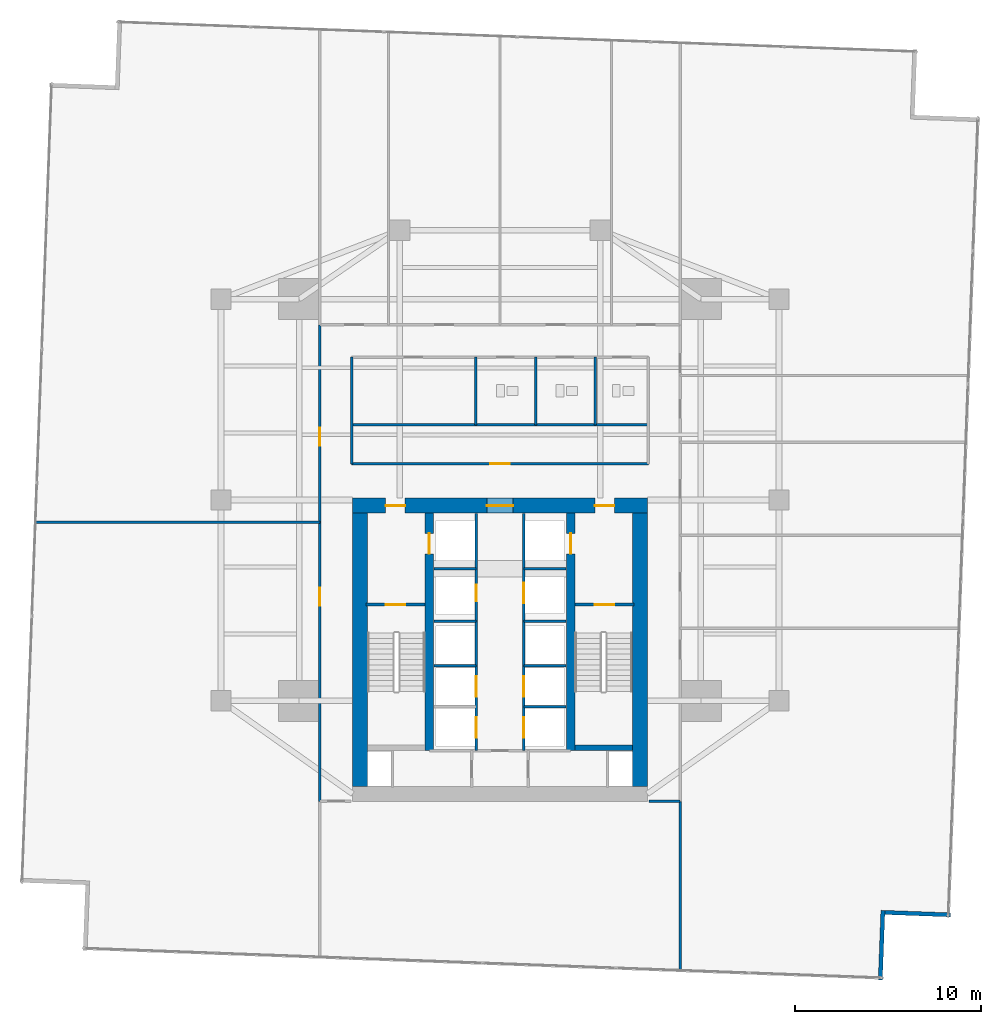
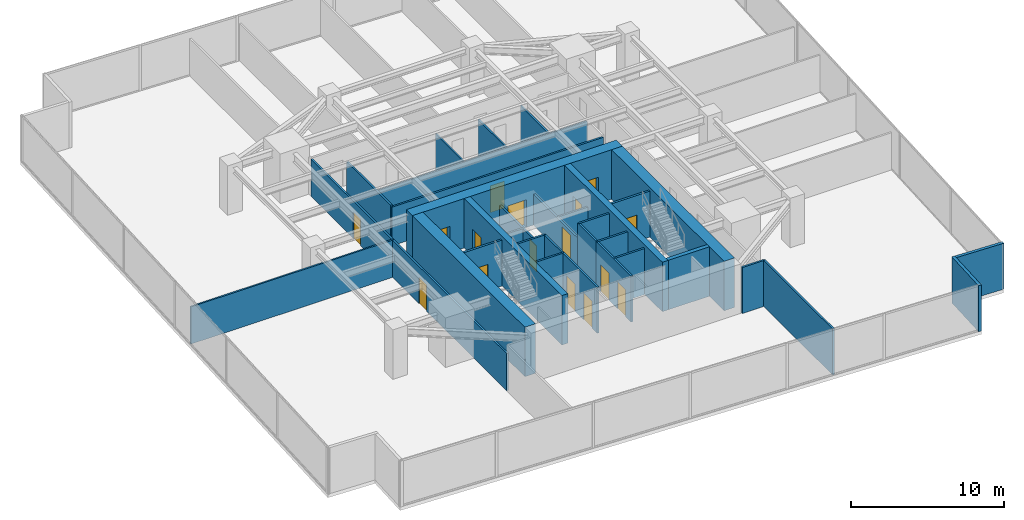
# One storey, part 27 of 30: 33 walls, 16 doors, 16 openings.
"""IFC4 building model written with IfcOpenShell, lengths in metres."""

import ifcopenshell
import ifcopenshell.guid

model = None  # the IFC model being written
_history = None  # IfcOwnerHistory: only IFC2X3 demands one
_inside = {}  # id of a spatial element -> (the spatial element, [elements in it])
_under = {}  # id of a project, library or spatial element -> (it, [spatial elements below it])
_declared = {}  # id of a project -> (the project, [libraries it declares])
_typed = {}  # id of a type object -> (the type object, [elements of that type])
_made_of = {}  # id of a material, layer set ... -> (it, [elements and type objects made of it])


def new_model(schema):
    """Start an empty IFC model of exactly this schema.

    Asked for "IFC4X3", IfcOpenShell would pick the latest addendum, in which some entities
    have other attributes; the version numbers below select the first issue.
    IFC2X3 requires an IfcOwnerHistory on every rooted entity: one is made here for all.
    """
    global model, _history
    if schema == "IFC4X3":
        model = ifcopenshell.file(schema_version=(4, 3, 0, 0))
    else:
        model = ifcopenshell.file(schema=schema)
    _inside.clear()
    _under.clear()
    _declared.clear()
    _typed.clear()
    _made_of.clear()
    _history = None
    if model.schema == "IFC2X3":
        org = make("IfcOrganization", Name="unknown")
        user = make(
            "IfcPersonAndOrganization",
            ThePerson=make("IfcPerson", FamilyName="unknown"),
            TheOrganization=org,
        )
        app = make(
            "IfcApplication",
            ApplicationDeveloper=org,
            Version="unknown",
            ApplicationFullName="unknown",
            ApplicationIdentifier="unknown",
        )
        _history = make(
            "IfcOwnerHistory",
            OwningUser=user,
            OwningApplication=app,
            ChangeAction="ADDED",
            CreationDate=0,
        )
    return model


def make(cls, **values):
    """One entity of the class cls with the attributes given. An attribute that is None is left unset."""
    return model.create_entity(
        cls, **{name: value for name, value in values.items() if value is not None}
    )


def rooted(cls, **values):
    """An entity with a GlobalId (a new one), such as an element, a storey or a relation."""
    return make(cls, GlobalId=ifcopenshell.guid.new(), OwnerHistory=_history, **values)


def si_unit(unit_type, name, prefix=None):
    """IfcSIUnit, for example si_unit("LENGTHUNIT", "METRE", prefix="MILLI")."""
    return make("IfcSIUnit", UnitType=unit_type, Prefix=prefix, Name=name)


def assignment(units):
    """IfcUnitAssignment: the units of a project."""
    return None if units is None else make("IfcUnitAssignment", Units=units)


def point(xyz):
    """IfcCartesianPoint."""
    return None if xyz is None else make("IfcCartesianPoint", Coordinates=xyz)


def direction(xyz):
    """IfcDirection."""
    return None if xyz is None else make("IfcDirection", DirectionRatios=xyz)


def frame(location, z_axis=None, x_axis=None):
    """IfcAxis2Placement3D, a coordinate frame: its origin and axes. An axis left out is left unset."""
    return make(
        "IfcAxis2Placement3D",
        Location=point(location),
        Axis=direction(z_axis),
        RefDirection=direction(x_axis),
    )


def frame_2d(location, x_axis=None):
    """IfcAxis2Placement2D, a coordinate frame in the plane: its origin and x axis."""
    return make(
        "IfcAxis2Placement2D", Location=point(location), RefDirection=direction(x_axis)
    )


def origin():
    """The frame at (0, 0, 0) with its axes left unset."""
    return frame((0.0, 0.0, 0.0))


def place(relative_to, where):
    """IfcLocalPlacement: puts the frame where relative to a parent placement (None: the world)."""
    return make(
        "IfcLocalPlacement", PlacementRelTo=relative_to, RelativePlacement=where
    )


def context(
    kind, dimensions, precision=None, world=None, true_north=None, identifier=None
):
    """IfcGeometricRepresentationContext, for example the 3D "Model" context."""
    return make(
        "IfcGeometricRepresentationContext",
        ContextIdentifier=identifier,
        ContextType=kind,
        CoordinateSpaceDimension=dimensions,
        Precision=precision,
        WorldCoordinateSystem=world,
        TrueNorth=true_north,
    )


def subcontext(parent, identifier, kind, view, scale=None):
    """IfcGeometricRepresentationSubContext, for example "Body" below "Model"."""
    return make(
        "IfcGeometricRepresentationSubContext",
        ContextIdentifier=identifier,
        ContextType=kind,
        ParentContext=parent,
        TargetScale=scale,
        TargetView=view,
    )


def project(units=None, contexts=None):
    """IfcProject with its units and contexts."""
    return rooted(
        "IfcProject",
        Name="project",
        RepresentationContexts=contexts,
        UnitsInContext=assignment(units),
    )


def spatial(cls, under=None, at=None, **own):
    """A site, building, storey or space (cls), placed at a placement, below another one or the project."""
    s = rooted(cls, ObjectPlacement=at, **own)
    if under is not None:
        _under.setdefault(under.id(), (under, []))[1].append(s)
    return s


def profile(cls, at=None, kind="AREA", **sizes):
    """A parametric profile (cls). Its sizes go by their IFC names, for example OverallWidth=200.0."""
    return make(cls, ProfileType=kind, Position=at, **sizes)


def rectangle(**sizes):
    """IfcRectangleProfileDef."""
    return profile("IfcRectangleProfileDef", **sizes)


def extrude(swept, where, along, depth):
    """IfcExtrudedAreaSolid: the profile swept, set in the frame where, extruded along a direction by depth."""
    return make(
        "IfcExtrudedAreaSolid",
        SweptArea=swept,
        Position=where,
        ExtrudedDirection=direction(along),
        Depth=depth,
    )


def shape(context_of_items, identifier, shape_type, items):
    """IfcShapeRepresentation: the items that make up one representation, for example the "Body"."""
    return make(
        "IfcShapeRepresentation",
        ContextOfItems=context_of_items,
        RepresentationIdentifier=identifier,
        RepresentationType=shape_type,
        Items=items,
    )


def material(Name=None, Category=None):
    """IfcMaterial."""
    return make("IfcMaterial", Name=Name, Category=Category)


def layer(
    of_material, thickness, ventilated=None, Name=None, Category=None, Priority=None
):
    """IfcMaterialLayer: one layer of a wall or slab, of a material (None: an air gap)."""
    return make(
        "IfcMaterialLayer",
        Material=of_material,
        LayerThickness=thickness,
        IsVentilated=ventilated,
        Name=Name,
        Category=Category,
        Priority=Priority,
    )


def layer_set(layers, Name=None):
    """IfcMaterialLayerSet."""
    return make("IfcMaterialLayerSet", MaterialLayers=layers, LayerSetName=Name)


def made_of(thing, what):
    """Note that an element or type object is made of a material, layer set ...; save() writes the relation."""
    if what is not None:
        _made_of.setdefault(what.id(), (what, []))[1].append(thing)
    return thing


def type_object(cls, material=None, **own):
    """A type object (cls), such as IfcWallType, which elements share."""
    return made_of(rooted(cls, **own), material)


def element(
    cls,
    number,
    at=None,
    inside=None,
    cuts=None,
    type_object=None,
    material=None,
    context=None,
    identifier="Body",
    shape_type=None,
    held_by="IfcProductDefinitionShape",
    body=None,
    shapes=None,
    **own,
):
    """One element of the class cls, such as IfcWall. Its Tag is "e" and its number.

    at: its placement. inside: the storey or other place that contains it. cuts: it is an
    opening in that element (IfcRelVoidsElement). A single representation is given by context,
    identifier, shape_type and body (its items); several are given by shapes. held_by: the class
    of the entity that holds the representations. save() writes the other relations.
    """
    e = rooted(cls, Tag="e%d" % number, ObjectPlacement=at, **own)
    if body is not None:
        shapes = [shape(context, identifier, shape_type, body)]
    if shapes is not None:
        e.Representation = make(held_by, Representations=shapes)
    if inside is not None:
        _inside.setdefault(inside.id(), (inside, []))[1].append(e)
    if cuts is not None:
        rooted(
            "IfcRelVoidsElement", RelatingBuildingElement=cuts, RelatedOpeningElement=e
        )
    if type_object is not None:
        _typed.setdefault(type_object.id(), (type_object, []))[1].append(e)
    return made_of(e, material)


def fill(opening, filler):
    """IfcRelFillsElement: the door or window that sits in an opening."""
    return rooted(
        "IfcRelFillsElement",
        RelatingOpeningElement=opening,
        RelatedBuildingElement=filler,
    )


def aggregate(whole, parts):
    """IfcRelAggregates: a whole, such as a stair, and the parts it consists of."""
    return rooted("IfcRelAggregates", RelatingObject=whole, RelatedObjects=parts)


def save(model, path):
    """Write the relations noted so far, then the file.

    IfcRelAggregates (storeys below a building ...), IfcRelContainedInSpatialStructure (elements
    in a storey), IfcRelDefinesByType, IfcRelAssociatesMaterial and IfcRelDeclares: one each for
    every whole, place, type object, material and project.
    """
    for whole, parts in _under.values():
        aggregate(whole, parts)
    for where, things in _inside.values():
        rooted(
            "IfcRelContainedInSpatialStructure",
            RelatedElements=things,
            RelatingStructure=where,
        )
    for kind, things in _typed.values():
        rooted("IfcRelDefinesByType", RelatedObjects=things, RelatingType=kind)
    for what, things in _made_of.values():
        rooted("IfcRelAssociatesMaterial", RelatedObjects=things, RelatingMaterial=what)
    for by, libraries in _declared.values():
        rooted("IfcRelDeclares", RelatingContext=by, RelatedDefinitions=libraries)
    model.write(path)


model = new_model("IFC4")

# Units and contexts
model_context = context("Model", 3, precision=1e-05, world=origin(), true_north=direction((0.0, 1.0)))
body_context = subcontext(model_context, "Body", "Model", "MODEL_VIEW")
ifc_project = project(units=[si_unit("LENGTHUNIT", "METRE"), si_unit("AREAUNIT", "SQUARE_METRE"), si_unit("VOLUMEUNIT", "CUBIC_METRE"), si_unit("PLANEANGLEUNIT", "RADIAN"), si_unit("MASSUNIT", "GRAM", prefix="KILO")], contexts=[model_context])

# Site, building, storey
site_placement = place(None, origin())
site = spatial("IfcSite", under=ifc_project, at=site_placement, CompositionType="ELEMENT")
building_placement = place(site_placement, origin())
building = spatial("IfcBuilding", under=site, at=building_placement, Name="Krantzveldt Concourse Tower", CompositionType="ELEMENT")
storey_placement = place(building_placement, frame((0.0, 0.0, 44.75)))
storey = spatial("IfcBuildingStorey", under=building, at=storey_placement, Name="L10", CompositionType="ELEMENT", Elevation=44.75)

# Walls
ifc_material_1 = material(Name="Anodised aluminium 6063-T6", Category="aluminium")
ifc_layer_1 = layer(ifc_material_1, 0.219970703125, Name="Anodised aluminium 6063-T6", Category="aluminium")
ifc_layer_set_1 = layer_set([ifc_layer_1], Name="Anodised aluminium 6063-T6 (WL-EXT-NOTCH220)")
wall_type_1 = type_object("IfcWallType", Name="WL-EXT-NOTCH220", PredefinedType="ELEMENTEDWALL", material=ifc_layer_set_1)
wall_1_placement = place(storey_placement, frame((56.447265625, 0.899169921875, 0.0), z_axis=(0.0, 0.0, 1.0), x_axis=(0.037093640215, 0.999311794114, 0.0)))
element("IfcWall", 1, at=wall_1_placement, inside=storey, type_object=wall_type_1, Name="EW-L10-NCH05", PredefinedType="ELEMENTEDWALL", context=body_context, shape_type="SweptSolid", body=[
    extrude(rectangle(XDim=3.7451171875, YDim=0.219970703125, at=frame_2d((1.87255859375, 0.0))), origin(), (0.0, 0.0, 1.0), 3.669921875),
])
wall_2_placement = place(storey_placement, frame((56.692138671875, 4.527587890625, 0.0), z_axis=(0.0, 0.0, 1.0), x_axis=(0.99931065272, -0.037124376896, 0.0)))
element("IfcWall", 2, at=wall_2_placement, inside=storey, type_object=wall_type_1, Name="EW-L10-NCH06", PredefinedType="ELEMENTEDWALL", context=body_context, shape_type="SweptSolid", body=[
    extrude(rectangle(XDim=3.52490234375, YDim=0.219970703125, at=frame_2d((1.762451171875, 0.0))), origin(), (0.0, 0.0, 1.0), 3.669921875),
])
ifc_material_2 = material(Name="Fire-rated gypsum plasterboard on steel stud", Category="steel")
ifc_layer_2 = layer(ifc_material_2, 0.1201171875, Name="Fire-rated gypsum plasterboard on steel stud", Category="steel")
ifc_layer_set_2 = layer_set([ifc_layer_2], Name="Fire-rated gypsum plasterboard on steel stud (WL-PART-120)")
wall_type_2 = type_object("IfcWallType", Name="WL-PART-120", PredefinedType="PARTITIONING", material=ifc_layer_set_2)
wall_3_placement = place(storey_placement, frame((28.02001953125, 30.739990234375, 0.0), z_axis=(0.0, 0.0, 1.0), x_axis=(1.0, 0.0, 0.0)))
element("IfcWall", 3, at=wall_3_placement, inside=storey, type_object=wall_type_2, Name="WP-L10-ISLM", PredefinedType="PARTITIONING", context=body_context, shape_type="SweptSolid", body=[
    extrude(rectangle(XDim=15.9599609375, YDim=0.1201171875, at=frame_2d((7.97998046875, 0.0))), origin(), (0.0, 0.0, 1.0), 3.080078125),
])
for number, where, z_axis, x_axis, name in (
    (4, (37.919921875, 30.739990234375, 0.0), (0.0, 0.0, 1.0), (0.0, 1.0, 0.0), "WP-L10-WCD1"),
    (5, (41.1201171875, 30.739990234375, 0.0), (0.0, 0.0, 1.0), (0.0, 1.0, 0.0), "WP-L10-WCD2"),
    (6, (34.699951171875, 30.739990234375, 0.0), (0.0, 0.0, 1.0), (0.0, 1.0, 0.0), "WP-L10-WCD3"),
):
    element("IfcWall", number, at=place(storey_placement, frame(where, z_axis=z_axis, x_axis=x_axis)), inside=storey, type_object=wall_type_2, Name=name, PredefinedType="PARTITIONING", context=body_context, shape_type="SweptSolid", body=[
        extrude(rectangle(XDim=3.639892578125, YDim=0.1201171875, at=frame_2d((1.81982421875, 0.0))), origin(), (0.0, 0.0, 1.0), 3.1201171875),
    ])
wall_4_placement = place(storey_placement, frame((11.0283203125, 25.5, 0.0), z_axis=(0.0, 0.0, 1.0), x_axis=(1.0, 0.0, 0.0)))
element("IfcWall", 7, at=wall_4_placement, inside=storey, type_object=wall_type_2, Name="WP-L10-WD1", PredefinedType="PARTITIONING", context=body_context, shape_type="SweptSolid", body=[
    extrude(rectangle(XDim=15.291748046875, YDim=0.1201171875, at=frame_2d((7.64599609375, 0.0))), origin(), (0.0, 0.0, 1.0), 2.969970703125),
])

# Wall, opening, door
ifc_layer_3 = layer(ifc_material_2, 0.139892578125, Name="Fire-rated gypsum plasterboard on steel stud", Category="steel")
ifc_layer_set_3 = layer_set([ifc_layer_3], Name="Fire-rated gypsum plasterboard on steel stud (WL-PART-140)")
wall_type_3 = type_object("IfcWallType", Name="WL-PART-140", PredefinedType="PARTITIONING", material=ifc_layer_set_3)
wall_5_placement = place(storey_placement, frame((28.02001953125, 28.639892578125, 0.0), z_axis=(0.0, 0.0, 1.0), x_axis=(1.0, 0.0, 0.0)))
wall_5 = element("IfcWall", 8, at=wall_5_placement, inside=storey, type_object=wall_type_3, Name="WP-L10-ISLS", PredefinedType="PARTITIONING", context=body_context, shape_type="SweptSolid", body=[
    extrude(rectangle(XDim=15.9599609375, YDim=0.139892578125, at=frame_2d((7.97998046875, 0.0))), origin(), (0.0, 0.0, 1.0), 3.080078125),
])
opening_1_placement = place(wall_5_placement, frame((7.455078125, 0.0, 0.0)))
opening_1 = element("IfcOpeningElement", 9, at=opening_1_placement, cuts=wall_5, Name="Opening D-IN105", PredefinedType="OPENING", context=body_context, shape_type="SweptSolid", body=[
    extrude(rectangle(XDim=1.050048828125, YDim=2.14990234375, at=frame_2d((0.52490234375, 1.074951171875))), frame((0.0, 0.080078125, 0.0), z_axis=(0.0, -1.0, 0.0), x_axis=(1.0, 0.0, 0.0)), (0.0, 0.0, 1.0), 0.159912109375),
])
ifc_material_3 = material(Name="Hardwood timber", Category="wood")
door_type_1 = type_object("IfcDoorType", Name="DR-INT-1050", OperationType="SINGLE_SWING_LEFT", PredefinedType="DOOR", material=ifc_material_3)
door_1_placement = place(opening_1_placement, origin())
door_1 = element("IfcDoor", 10, at=door_1_placement, inside=storey, type_object=door_type_1, Name="DR-L10-MIDB", OperationType="SINGLE_SWING_LEFT", OverallHeight=2.14990234375, OverallWidth=1.050048828125, PredefinedType="DOOR", context=body_context, shape_type="SweptSolid", body=[
    extrude(rectangle(XDim=1.050048828125, YDim=2.14990234375, at=frame_2d((0.52490234375, 1.074951171875))), frame((0.0, 0.02490234375, 0.0), z_axis=(0.0, -1.0, 0.0), x_axis=(1.0, 0.0, 0.0)), (0.0, 0.0, 1.0), 0.050048828125),
])
fill(opening_1, door_1)

# Wall
wall_6_placement = place(storey_placement, frame((28.02001953125, 28.639892578125, 0.0), z_axis=(0.0, 0.0, 1.0), x_axis=(0.0, 1.0, 0.0)))
element("IfcWall", 11, at=wall_6_placement, inside=storey, type_object=wall_type_3, Name="WP-L10-ISLW", PredefinedType="PARTITIONING", context=body_context, shape_type="SweptSolid", body=[
    extrude(rectangle(XDim=5.739990234375, YDim=0.139892578125, at=frame_2d((2.8701171875, 0.0))), origin(), (0.0, 0.0, 1.0), 3.219970703125),
])

# Wall, openings, doors
wall_7_placement = place(storey_placement, frame((26.320068359375, 10.5, 0.0), z_axis=(0.0, 0.0, 1.0), x_axis=(0.0, 1.0, 0.0)))
wall_7 = element("IfcWall", 12, at=wall_7_placement, inside=storey, type_object=wall_type_3, Name="WP-L10-CWEST", PredefinedType="PARTITIONING", context=body_context, shape_type="SweptSolid", body=[
    extrude(rectangle(XDim=25.6201171875, YDim=0.139892578125, at=frame_2d((12.81005859375, 0.0))), origin(), (0.0, 0.0, 1.0), 2.969970703125),
])
opening_2_placement = place(wall_7_placement, frame((10.52490234375, 0.0, 0.0)))
opening_2 = element("IfcOpeningElement", 13, at=opening_2_placement, cuts=wall_7, Name="Opening D-IN095", PredefinedType="OPENING", context=body_context, shape_type="SweptSolid", body=[
    extrude(rectangle(XDim=0.949951171875, YDim=2.10009765625, at=frame_2d((0.47509765625, 1.050048828125))), frame((0.0, 0.080078125, 0.0), z_axis=(0.0, -1.0, 0.0), x_axis=(1.0, 0.0, 0.0)), (0.0, 0.0, 1.0), 0.159912109375),
])
opening_3_placement = place(wall_7_placement, frame((19.125, 0.0, 0.0)))
opening_3 = element("IfcOpeningElement", 14, at=opening_3_placement, cuts=wall_7, Name="Opening D-IN095", PredefinedType="OPENING", context=body_context, shape_type="SweptSolid", body=[
    extrude(rectangle(XDim=0.949951171875, YDim=2.10009765625, at=frame_2d((0.47509765625, 1.050048828125))), frame((0.0, 0.080078125, 0.0), z_axis=(0.0, -1.0, 0.0), x_axis=(1.0, 0.0, 0.0)), (0.0, 0.0, 1.0), 0.159912109375),
])
door_type_2 = type_object("IfcDoorType", Name="DR-INT-950", OperationType="SINGLE_SWING_LEFT", PredefinedType="DOOR", material=ifc_material_3)
door_2_placement = place(opening_2_placement, origin())
door_2 = element("IfcDoor", 15, at=door_2_placement, inside=storey, type_object=door_type_2, Name="DR-L10-WR1", OperationType="SINGLE_SWING_LEFT", OverallHeight=2.10009765625, OverallWidth=0.949951171875, PredefinedType="DOOR", context=body_context, shape_type="SweptSolid", body=[
    extrude(rectangle(XDim=0.949951171875, YDim=2.10009765625, at=frame_2d((0.47509765625, 1.050048828125))), frame((0.0, 0.02490234375, 0.0), z_axis=(0.0, -1.0, 0.0), x_axis=(1.0, 0.0, 0.0)), (0.0, 0.0, 1.0), 0.050048828125),
])
fill(opening_2, door_2)
door_3_placement = place(opening_3_placement, origin())
door_3 = element("IfcDoor", 16, at=door_3_placement, inside=storey, type_object=door_type_2, Name="DR-L10-WR2", OperationType="SINGLE_SWING_LEFT", OverallHeight=2.10009765625, OverallWidth=0.949951171875, PredefinedType="DOOR", context=body_context, shape_type="SweptSolid", body=[
    extrude(rectangle(XDim=0.949951171875, YDim=2.10009765625, at=frame_2d((0.47509765625, 1.050048828125))), frame((0.0, 0.02490234375, 0.0), z_axis=(0.0, -1.0, 0.0), x_axis=(1.0, 0.0, 0.0)), (0.0, 0.0, 1.0), 0.050048828125),
])
fill(opening_3, door_3)

# Walls
wall_8_placement = place(storey_placement, frame((44.0, 10.5, 0.0), z_axis=(0.0, 0.0, 1.0), x_axis=(1.0, 0.0, 0.0)))
element("IfcWall", 17, at=wall_8_placement, inside=storey, type_object=wall_type_3, Name="WP-L10-CEBOT", PredefinedType="PARTITIONING", context=body_context, shape_type="SweptSolid", body=[
    extrude(rectangle(XDim=1.679931640625, YDim=0.139892578125, at=frame_2d((0.83984375, 0.0))), origin(), (0.0, 0.0, 1.0), 3.669921875),
])
wall_9_placement = place(storey_placement, frame((45.679931640625, 1.413818359375, 0.0), z_axis=(0.0, 0.0, 1.0), x_axis=(0.0, 1.0, 0.0)))
element("IfcWall", 18, at=wall_9_placement, inside=storey, type_object=wall_type_3, Name="WP-L10-SER", PredefinedType="PARTITIONING", context=body_context, shape_type="SweptSolid", body=[
    extrude(rectangle(XDim=9.086181640625, YDim=0.139892578125, at=frame_2d((4.54296875, 0.0))), origin(), (0.0, 0.0, 1.0), 3.669921875),
])

# Wall, opening, door
ifc_layer_4 = layer(ifc_material_2, 0.139892578125, Name="Fire-rated gypsum plasterboard on steel stud", Category="steel")
ifc_layer_set_4 = layer_set([ifc_layer_4], Name="Fire-rated gypsum plasterboard on steel stud (WL-PART-FR140)")
wall_type_4 = type_object("IfcWallType", Name="WL-PART-FR140", PredefinedType="PARTITIONING", material=ifc_layer_set_4)
wall_10_placement = place(storey_placement, frame((34.719970703125, 20.199951171875, 0.0), z_axis=(0.0, 0.0, 1.0), x_axis=(0.0, 1.0, 0.0)))
wall_10 = element("IfcWall", 19, at=wall_10_placement, inside=storey, type_object=wall_type_4, Name="WP-L10-SHNW", PredefinedType="PARTITIONING", context=body_context, shape_type="SweptSolid", body=[
    extrude(rectangle(XDim=5.780029296875, YDim=0.139892578125, at=frame_2d((2.89013671875, 0.0))), origin(), (0.0, 0.0, 1.0), 2.469970703125),
])
opening_4_placement = place(wall_10_placement, frame((1.050048828125, 0.0, 0.0)))
opening_4 = element("IfcOpeningElement", 20, at=opening_4_placement, cuts=wall_10, Name="Opening D-FD090", PredefinedType="OPENING", context=body_context, shape_type="SweptSolid", body=[
    extrude(rectangle(XDim=0.89990234375, YDim=2.10009765625, at=frame_2d((0.449951171875, 1.050048828125))), frame((0.0, 0.080078125, 0.0), z_axis=(0.0, -1.0, 0.0), x_axis=(1.0, 0.0, 0.0)), (0.0, 0.0, 1.0), 0.159912109375),
])
door_type_3 = type_object("IfcDoorType", Name="DR-FD60-900", OperationType="SINGLE_SWING_LEFT", PredefinedType="DOOR", material=ifc_material_3)
door_4_placement = place(opening_4_placement, origin())
door_4 = element("IfcDoor", 21, at=door_4_placement, inside=storey, type_object=door_type_3, Name="Electrical Riser Access Door L10", OperationType="SINGLE_SWING_LEFT", OverallHeight=2.10009765625, OverallWidth=0.89990234375, PredefinedType="DOOR", context=body_context, shape_type="SweptSolid", body=[
    extrude(rectangle(XDim=0.89990234375, YDim=2.10009765625, at=frame_2d((0.449951171875, 1.050048828125))), frame((0.0, 0.02490234375, 0.0), z_axis=(0.0, -1.0, 0.0), x_axis=(1.0, 0.0, 0.0)), (0.0, 0.0, 1.0), 0.050048828125),
])
fill(opening_4, door_4)

wall_11_placement = place(storey_placement, frame((37.280029296875, 20.199951171875, 0.0), z_axis=(0.0, 0.0, 1.0), x_axis=(0.0, 1.0, 0.0)))
wall_11 = element("IfcWall", 22, at=wall_11_placement, inside=storey, type_object=wall_type_4, Name="WP-L10-SHNE", PredefinedType="PARTITIONING", context=body_context, shape_type="SweptSolid", body=[
    extrude(rectangle(XDim=5.780029296875, YDim=0.139892578125, at=frame_2d((2.89013671875, 0.0))), origin(), (0.0, 0.0, 1.0), 2.469970703125),
])
opening_5_placement = place(wall_11_placement, frame((0.949951171875, 0.0, 0.0)))
opening_5 = element("IfcOpeningElement", 23, at=opening_5_placement, cuts=wall_11, Name="Opening LD", PredefinedType="OPENING", context=body_context, shape_type="SweptSolid", body=[
    extrude(rectangle(XDim=1.10009765625, YDim=2.14990234375, at=frame_2d((0.550048828125, 1.074951171875))), frame((0.0, 0.080078125, 0.0), z_axis=(0.0, -1.0, 0.0), x_axis=(1.0, 0.0, 0.0)), (0.0, 0.0, 1.0), 0.159912109375),
])
ifc_material_4 = material(Name="Stainless steel 316L", Category="steel")
door_type_4 = type_object("IfcDoorType", Name="DR-SLIDE-LD1100", OperationType="DOUBLE_DOOR_SLIDING", PredefinedType="DOOR", material=ifc_material_4)
door_5_placement = place(opening_5_placement, origin())
door_5 = element("IfcDoor", 24, at=door_5_placement, inside=storey, type_object=door_type_4, Name="LD-L10-GL1", OperationType="DOUBLE_DOOR_SLIDING", OverallHeight=2.14990234375, OverallWidth=1.10009765625, PredefinedType="DOOR", context=body_context, shape_type="SweptSolid", body=[
    extrude(rectangle(XDim=1.10009765625, YDim=2.14990234375, at=frame_2d((0.550048828125, 1.074951171875))), frame((0.0, 0.02490234375, 0.0), z_axis=(0.0, -1.0, 0.0), x_axis=(1.0, 0.0, 0.0)), (0.0, 0.0, 1.0), 0.050048828125),
])
fill(opening_5, door_5)

# Walls
for number, where, z_axis, x_axis, name in (
    (25, (32.449951171875, 23.0, 0.0), (0.0, 0.0, 1.0), (1.0, 0.0, 0.0), "WP-L10-RISH"),
    (26, (37.280029296875, 23.0, 0.0), (0.0, 0.0, 1.0), (1.0, 0.0, 0.0), "WP-L10-GLH"),
):
    element("IfcWall", number, at=place(storey_placement, frame(where, z_axis=z_axis, x_axis=x_axis)), inside=storey, type_object=wall_type_4, Name=name, PredefinedType="PARTITIONING", context=body_context, shape_type="SweptSolid", body=[
        extrude(rectangle(XDim=2.27001953125, YDim=0.139892578125, at=frame_2d((1.135009765625, 0.0))), origin(), (0.0, 0.0, 1.0), 2.469970703125),
    ])
for number, where, z_axis, x_axis, name in (
    (27, (34.719970703125, 17.780029296875, 0.0), (0.0, 0.0, 1.0), (0.0, 1.0, 0.0), "WP-L10-SHNW2"),
    (28, (37.280029296875, 17.780029296875, 0.0), (0.0, 0.0, 1.0), (0.0, 1.0, 0.0), "WP-L10-SHNE2"),
):
    element("IfcWall", number, at=place(storey_placement, frame(where, z_axis=z_axis, x_axis=x_axis)), inside=storey, type_object=wall_type_4, Name=name, PredefinedType="PARTITIONING", context=body_context, shape_type="SweptSolid", body=[
        extrude(rectangle(XDim=2.419921875, YDim=0.139892578125, at=frame_2d((1.2099609375, 0.0))), origin(), (0.0, 0.0, 1.0), 3.669921875),
    ])
for number, where, z_axis, x_axis, name in (
    (29, (32.449951171875, 17.780029296875, 0.0), (0.0, 0.0, 1.0), (1.0, 0.0, 0.0), "WP-L10-DIVW2"),
    (30, (32.449951171875, 20.179931640625, 0.0), (0.0, 0.0, 1.0), (1.0, 0.0, 0.0), "WP-L10-DIVW3"),
    (31, (37.280029296875, 17.780029296875, 0.0), (0.0, 0.0, 1.0), (1.0, 0.0, 0.0), "WP-L10-DIVE2"),
    (32, (37.280029296875, 20.179931640625, 0.0), (0.0, 0.0, 1.0), (1.0, 0.0, 0.0), "WP-L10-DIVE3"),
):
    element("IfcWall", number, at=place(storey_placement, frame(where, z_axis=z_axis, x_axis=x_axis)), inside=storey, type_object=wall_type_4, Name=name, PredefinedType="PARTITIONING", context=body_context, shape_type="SweptSolid", body=[
        extrude(rectangle(XDim=2.27001953125, YDim=0.139892578125, at=frame_2d((1.135009765625, 0.0))), origin(), (0.0, 0.0, 1.0), 3.669921875),
    ])

# Wall, openings, doors
wall_12_placement = place(storey_placement, frame((34.719970703125, 13.219970703125, 0.0), z_axis=(0.0, 0.0, 1.0), x_axis=(0.0, 1.0, 0.0)))
wall_12 = element("IfcWall", 33, at=wall_12_placement, inside=storey, type_object=wall_type_4, Name="WP-L10-SHSW", PredefinedType="PARTITIONING", context=body_context, shape_type="SweptSolid", body=[
    extrude(rectangle(XDim=4.56005859375, YDim=0.139892578125, at=frame_2d((2.280029296875, 0.0))), origin(), (0.0, 0.0, 1.0), 3.669921875),
])
opening_6_placement = place(wall_12_placement, frame((0.7099609375, 0.0, 0.0)))
opening_6 = element("IfcOpeningElement", 34, at=opening_6_placement, cuts=wall_12, Name="Opening LD", PredefinedType="OPENING", context=body_context, shape_type="SweptSolid", body=[
    extrude(rectangle(XDim=1.10009765625, YDim=2.14990234375, at=frame_2d((0.550048828125, 1.074951171875))), frame((0.0, 0.080078125, 0.0), z_axis=(0.0, -1.0, 0.0), x_axis=(1.0, 0.0, 0.0)), (0.0, 0.0, 1.0), 0.159912109375),
])
opening_7_placement = place(wall_12_placement, frame((2.909912109375, 0.0, 0.0)))
opening_7 = element("IfcOpeningElement", 35, at=opening_7_placement, cuts=wall_12, Name="Opening LD", PredefinedType="OPENING", context=body_context, shape_type="SweptSolid", body=[
    extrude(rectangle(XDim=1.10009765625, YDim=2.14990234375, at=frame_2d((0.550048828125, 1.074951171875))), frame((0.0, 0.080078125, 0.0), z_axis=(0.0, -1.0, 0.0), x_axis=(1.0, 0.0, 0.0)), (0.0, 0.0, 1.0), 0.159912109375),
])
door_6_placement = place(opening_6_placement, origin())
door_6 = element("IfcDoor", 36, at=door_6_placement, inside=storey, type_object=door_type_4, Name="LD-L10-PL1", OperationType="DOUBLE_DOOR_SLIDING", OverallHeight=2.14990234375, OverallWidth=1.10009765625, PredefinedType="DOOR", context=body_context, shape_type="SweptSolid", body=[
    extrude(rectangle(XDim=1.10009765625, YDim=2.14990234375, at=frame_2d((0.550048828125, 1.074951171875))), frame((0.0, 0.02490234375, 0.0), z_axis=(0.0, -1.0, 0.0), x_axis=(1.0, 0.0, 0.0)), (0.0, 0.0, 1.0), 0.050048828125),
])
fill(opening_6, door_6)
door_7_placement = place(opening_7_placement, origin())
door_7 = element("IfcDoor", 37, at=door_7_placement, inside=storey, type_object=door_type_4, Name="LD-L10-PL2", OperationType="DOUBLE_DOOR_SLIDING", OverallHeight=2.14990234375, OverallWidth=1.10009765625, PredefinedType="DOOR", context=body_context, shape_type="SweptSolid", body=[
    extrude(rectangle(XDim=1.10009765625, YDim=2.14990234375, at=frame_2d((0.550048828125, 1.074951171875))), frame((0.0, 0.02490234375, 0.0), z_axis=(0.0, -1.0, 0.0), x_axis=(1.0, 0.0, 0.0)), (0.0, 0.0, 1.0), 0.050048828125),
])
fill(opening_7, door_7)

wall_13_placement = place(storey_placement, frame((37.280029296875, 13.219970703125, 0.0), z_axis=(0.0, 0.0, 1.0), x_axis=(0.0, 1.0, 0.0)))
wall_13 = element("IfcWall", 38, at=wall_13_placement, inside=storey, type_object=wall_type_4, Name="WP-L10-SHSE", PredefinedType="PARTITIONING", context=body_context, shape_type="SweptSolid", body=[
    extrude(rectangle(XDim=4.56005859375, YDim=0.139892578125, at=frame_2d((2.280029296875, 0.0))), origin(), (0.0, 0.0, 1.0), 3.669921875),
])
opening_8_placement = place(wall_13_placement, frame((0.7099609375, 0.0, 0.0)))
opening_8 = element("IfcOpeningElement", 39, at=opening_8_placement, cuts=wall_13, Name="Opening LD", PredefinedType="OPENING", context=body_context, shape_type="SweptSolid", body=[
    extrude(rectangle(XDim=1.10009765625, YDim=2.14990234375, at=frame_2d((0.550048828125, 1.074951171875))), frame((0.0, 0.080078125, 0.0), z_axis=(0.0, -1.0, 0.0), x_axis=(1.0, 0.0, 0.0)), (0.0, 0.0, 1.0), 0.159912109375),
])
opening_9_placement = place(wall_13_placement, frame((2.909912109375, 0.0, 0.0)))
opening_9 = element("IfcOpeningElement", 40, at=opening_9_placement, cuts=wall_13, Name="Opening LD", PredefinedType="OPENING", context=body_context, shape_type="SweptSolid", body=[
    extrude(rectangle(XDim=1.10009765625, YDim=2.14990234375, at=frame_2d((0.550048828125, 1.074951171875))), frame((0.0, 0.080078125, 0.0), z_axis=(0.0, -1.0, 0.0), x_axis=(1.0, 0.0, 0.0)), (0.0, 0.0, 1.0), 0.159912109375),
])
door_8_placement = place(opening_8_placement, origin())
door_8 = element("IfcDoor", 41, at=door_8_placement, inside=storey, type_object=door_type_4, Name="LD-L10-PM1", OperationType="DOUBLE_DOOR_SLIDING", OverallHeight=2.14990234375, OverallWidth=1.10009765625, PredefinedType="DOOR", context=body_context, shape_type="SweptSolid", body=[
    extrude(rectangle(XDim=1.10009765625, YDim=2.14990234375, at=frame_2d((0.550048828125, 1.074951171875))), frame((0.0, 0.02490234375, 0.0), z_axis=(0.0, -1.0, 0.0), x_axis=(1.0, 0.0, 0.0)), (0.0, 0.0, 1.0), 0.050048828125),
])
fill(opening_8, door_8)
door_9_placement = place(opening_9_placement, origin())
door_9 = element("IfcDoor", 42, at=door_9_placement, inside=storey, type_object=door_type_4, Name="LD-L10-PM2", OperationType="DOUBLE_DOOR_SLIDING", OverallHeight=2.14990234375, OverallWidth=1.10009765625, PredefinedType="DOOR", context=body_context, shape_type="SweptSolid", body=[
    extrude(rectangle(XDim=1.10009765625, YDim=2.14990234375, at=frame_2d((0.550048828125, 1.074951171875))), frame((0.0, 0.02490234375, 0.0), z_axis=(0.0, -1.0, 0.0), x_axis=(1.0, 0.0, 0.0)), (0.0, 0.0, 1.0), 0.050048828125),
])
fill(opening_9, door_9)

# Wall
wall_14_placement = place(storey_placement, frame((37.280029296875, 15.580078125, 0.0), z_axis=(0.0, 0.0, 1.0), x_axis=(1.0, 0.0, 0.0)))
element("IfcWall", 43, at=wall_14_placement, inside=storey, type_object=wall_type_4, Name="WP-L10-DIVE1", PredefinedType="PARTITIONING", context=body_context, shape_type="SweptSolid", body=[
    extrude(rectangle(XDim=2.27001953125, YDim=0.139892578125, at=frame_2d((1.135009765625, 0.0))), origin(), (0.0, 0.0, 1.0), 3.669921875),
])

# Wall, opening, door
ifc_layer_5 = layer(ifc_material_2, 0.159912109375, Name="Fire-rated gypsum plasterboard on steel stud", Category="steel")
ifc_layer_set_5 = layer_set([ifc_layer_5], Name="Fire-rated gypsum plasterboard on steel stud (WL-PART-FR160)")
wall_type_5 = type_object("IfcWallType", Name="WL-PART-FR160", PredefinedType="PARTITIONING", material=ifc_layer_set_5)
wall_15_placement = place(storey_placement, frame((28.800048828125, 21.080078125, 0.0), z_axis=(0.0, 0.0, 1.0), x_axis=(1.0, 0.0, 0.0)))
wall_15 = element("IfcWall", 44, at=wall_15_placement, inside=storey, type_object=wall_type_5, Name="WP-L10-ST1", PredefinedType="PARTITIONING", context=body_context, shape_type="SweptSolid", body=[
    extrude(rectangle(XDim=3.159912109375, YDim=0.159912109375, at=frame_2d((1.580078125, 0.0))), origin(), (0.0, 0.0, 1.0), 3.669921875),
])
opening_10_placement = place(wall_15_placement, frame((1.054931640625, 0.0, 0.0)))
opening_10 = element("IfcOpeningElement", 45, at=opening_10_placement, cuts=wall_15, Name="Opening D-FD105", PredefinedType="OPENING", context=body_context, shape_type="SweptSolid", body=[
    extrude(rectangle(XDim=1.050048828125, YDim=2.10009765625, at=frame_2d((0.52490234375, 1.050048828125))), frame((0.0, 0.08984375, 0.0), z_axis=(0.0, -1.0, 0.0), x_axis=(1.0, 0.0, 0.0)), (0.0, 0.0, 1.0), 0.179931640625),
])
ifc_material_5 = material(Name="Galvanised steel", Category="steel")
door_type_5 = type_object("IfcDoorType", Name="DR-FD120-1050", OperationType="SINGLE_SWING_LEFT", PredefinedType="DOOR", material=ifc_material_5)
door_10_placement = place(opening_10_placement, origin())
door_10 = element("IfcDoor", 46, at=door_10_placement, inside=storey, type_object=door_type_5, Name="DR-L10-ST1", OperationType="SINGLE_SWING_RIGHT", OverallHeight=2.10009765625, OverallWidth=1.050048828125, PredefinedType="DOOR", context=body_context, shape_type="SweptSolid", body=[
    extrude(rectangle(XDim=1.050048828125, YDim=2.10009765625, at=frame_2d((0.52490234375, 1.050048828125))), frame((0.0, 0.02490234375, 0.0), z_axis=(0.0, -1.0, 0.0), x_axis=(1.0, 0.0, 0.0)), (0.0, 0.0, 1.0), 0.050048828125),
])
fill(opening_10, door_10)

wall_16_placement = place(storey_placement, frame((40.0400390625, 21.080078125, 0.0), z_axis=(0.0, 0.0, 1.0), x_axis=(1.0, 0.0, 0.0)))
wall_16 = element("IfcWall", 47, at=wall_16_placement, inside=storey, type_object=wall_type_5, Name="WP-L10-ST2", PredefinedType="PARTITIONING", context=body_context, shape_type="SweptSolid", body=[
    extrude(rectangle(XDim=3.159912109375, YDim=0.159912109375, at=frame_2d((1.580078125, 0.0))), origin(), (0.0, 0.0, 1.0), 3.669921875),
])
opening_11_placement = place(wall_16_placement, frame((1.054931640625, 0.0, 0.0)))
opening_11 = element("IfcOpeningElement", 48, at=opening_11_placement, cuts=wall_16, Name="Opening D-FD105", PredefinedType="OPENING", context=body_context, shape_type="SweptSolid", body=[
    extrude(rectangle(XDim=1.050048828125, YDim=2.10009765625, at=frame_2d((0.52490234375, 1.050048828125))), frame((0.0, 0.08984375, 0.0), z_axis=(0.0, -1.0, 0.0), x_axis=(1.0, 0.0, 0.0)), (0.0, 0.0, 1.0), 0.179931640625),
])
door_11_placement = place(opening_11_placement, origin())
door_11 = element("IfcDoor", 49, at=door_11_placement, inside=storey, type_object=door_type_5, Name="DR-L10-ST2", OperationType="SINGLE_SWING_LEFT", OverallHeight=2.10009765625, OverallWidth=1.050048828125, PredefinedType="DOOR", context=body_context, shape_type="SweptSolid", body=[
    extrude(rectangle(XDim=1.050048828125, YDim=2.10009765625, at=frame_2d((0.52490234375, 1.050048828125))), frame((0.0, 0.02490234375, 0.0), z_axis=(0.0, -1.0, 0.0), x_axis=(1.0, 0.0, 0.0)), (0.0, 0.0, 1.0), 0.050048828125),
])
fill(opening_11, door_11)

# Wall
ifc_material_6 = material(Name="Concrete C50/60", Category="concrete")
ifc_layer_6 = layer(ifc_material_6, 0.300048828125, Name="Concrete C50/60", Category="concrete")
ifc_layer_set_6 = layer_set([ifc_layer_6], Name="Concrete C50/60 (WL-SHEAR-300)")
wall_type_6 = type_object("IfcWallType", Name="WL-SHEAR-300", PredefinedType="SHEAR", material=ifc_layer_set_6)
wall_17_placement = place(storey_placement, frame((40.02001953125, 13.3701171875, 0.0), z_axis=(0.0, 0.0, 1.0), x_axis=(1.0, 0.0, 0.0)))
element("IfcWall", 50, at=wall_17_placement, inside=storey, type_object=wall_type_6, Name="CW-L10-ST2S", PredefinedType="SHEAR", context=body_context, shape_type="SweptSolid", body=[
    extrude(rectangle(XDim=3.10009765625, YDim=0.300048828125, at=frame_2d((1.550048828125, 0.0))), origin(), (0.0, 0.0, 1.0), 3.949951171875),
])

# Wall, opening, door
ifc_layer_7 = layer(ifc_material_6, 0.449951171875, Name="Concrete C50/60", Category="concrete")
ifc_layer_set_7 = layer_set([ifc_layer_7], Name="Concrete C50/60 (WL-SHEAR-450)")
wall_type_7 = type_object("IfcWallType", Name="WL-SHEAR-450", PredefinedType="SHEAR", material=ifc_layer_set_7)
wall_18_placement = place(storey_placement, frame((32.205078125, 13.219970703125, 0.0), z_axis=(0.0, 0.0, 1.0), x_axis=(0.0, 1.0, 0.0)))
wall_18 = element("IfcWall", 51, at=wall_18_placement, inside=storey, type_object=wall_type_7, Name="CW-L10-IW", PredefinedType="SHEAR", context=body_context, shape_type="SweptSolid", body=[
    extrude(rectangle(XDim=12.780029296875, YDim=0.449951171875, at=frame_2d((6.39013671875, 0.0))), origin(), (0.0, 0.0, 1.0), 3.949951171875),
])
opening_12_placement = place(wall_18_placement, frame((10.580078125, 0.0, 0.0)))
opening_12 = element("IfcOpeningElement", 52, at=opening_12_placement, cuts=wall_18, Name="Opening LD", PredefinedType="OPENING", context=body_context, shape_type="SweptSolid", body=[
    extrude(rectangle(XDim=1.10009765625, YDim=2.14990234375, at=frame_2d((0.550048828125, 1.074951171875))), frame((0.0, 0.23486328125, 0.0), z_axis=(0.0, -1.0, 0.0), x_axis=(1.0, 0.0, 0.0)), (0.0, 0.0, 1.0), 0.469970703125),
])
door_12_placement = place(opening_12_placement, origin())
door_12 = element("IfcDoor", 53, at=door_12_placement, inside=storey, type_object=door_type_4, Name="LD-L10-FL1", OperationType="DOUBLE_DOOR_SLIDING", OverallHeight=2.14990234375, OverallWidth=1.10009765625, PredefinedType="DOOR", context=body_context, shape_type="SweptSolid", body=[
    extrude(rectangle(XDim=1.10009765625, YDim=2.14990234375, at=frame_2d((0.550048828125, 1.074951171875))), frame((0.0, 0.02490234375, 0.0), z_axis=(0.0, -1.0, 0.0), x_axis=(1.0, 0.0, 0.0)), (0.0, 0.0, 1.0), 0.050048828125),
])
fill(opening_12, door_12)

wall_19_placement = place(storey_placement, frame((39.794921875, 13.219970703125, 0.0), z_axis=(0.0, 0.0, 1.0), x_axis=(0.0, 1.0, 0.0)))
wall_19 = element("IfcWall", 54, at=wall_19_placement, inside=storey, type_object=wall_type_7, Name="CW-L10-IE", PredefinedType="SHEAR", context=body_context, shape_type="SweptSolid", body=[
    extrude(rectangle(XDim=12.780029296875, YDim=0.449951171875, at=frame_2d((6.39013671875, 0.0))), origin(), (0.0, 0.0, 1.0), 3.949951171875),
])
opening_13_placement = place(wall_19_placement, frame((10.580078125, 0.0, 0.0)))
opening_13 = element("IfcOpeningElement", 55, at=opening_13_placement, cuts=wall_19, Name="Opening LD", PredefinedType="OPENING", context=body_context, shape_type="SweptSolid", body=[
    extrude(rectangle(XDim=1.10009765625, YDim=2.14990234375, at=frame_2d((0.550048828125, 1.074951171875))), frame((0.0, 0.23486328125, 0.0), z_axis=(0.0, -1.0, 0.0), x_axis=(1.0, 0.0, 0.0)), (0.0, 0.0, 1.0), 0.469970703125),
])
door_13_placement = place(opening_13_placement, origin())
door_13 = element("IfcDoor", 56, at=door_13_placement, inside=storey, type_object=door_type_4, Name="LD-L10-FL2", OperationType="DOUBLE_DOOR_SLIDING", OverallHeight=2.14990234375, OverallWidth=1.10009765625, PredefinedType="DOOR", context=body_context, shape_type="SweptSolid", body=[
    extrude(rectangle(XDim=1.10009765625, YDim=2.14990234375, at=frame_2d((0.550048828125, 1.074951171875))), frame((0.0, 0.02490234375, 0.0), z_axis=(0.0, -1.0, 0.0), x_axis=(1.0, 0.0, 0.0)), (0.0, 0.0, 1.0), 0.050048828125),
])
fill(opening_13, door_13)

# Wall, openings, doors
ifc_material_7 = material(Name="Concrete C60/75", Category="concrete")
ifc_layer_8 = layer(ifc_material_7, 0.800048828125, Name="Concrete C60/75", Category="concrete")
ifc_layer_set_8 = layer_set([ifc_layer_8], Name="Concrete C60/75 (WL-SHEAR-800)")
wall_type_8 = type_object("IfcWallType", Name="WL-SHEAR-800", PredefinedType="SHEAR", material=ifc_layer_set_8)
wall_20_placement = place(storey_placement, frame((28.080078125, 26.39990234375, 0.0), z_axis=(0.0, 0.0, 1.0), x_axis=(1.0, 0.0, 0.0)))
wall_20 = element("IfcWall", 57, at=wall_20_placement, inside=storey, type_object=wall_type_8, Name="CW-L10-N", PredefinedType="SHEAR", context=body_context, shape_type="SweptSolid", body=[
    extrude(rectangle(XDim=15.83984375, YDim=0.800048828125, at=frame_2d((7.919921875, 0.0))), origin(), (0.0, 0.0, 1.0), 3.949951171875),
])
opening_14_placement = place(wall_20_placement, frame((7.219970703125, 0.0, 0.0)))
opening_14 = element("IfcOpeningElement", 58, at=opening_14_placement, cuts=wall_20, Name="Opening D-DB140", PredefinedType="OPENING", context=body_context, shape_type="SweptSolid", body=[
    extrude(rectangle(XDim=1.39990234375, YDim=2.199951171875, at=frame_2d((0.699951171875, 1.10009765625))), frame((0.0, 0.41015625, 0.0), z_axis=(0.0, -1.0, 0.0), x_axis=(1.0, 0.0, 0.0)), (0.0, 0.0, 1.0), 0.820068359375),
])
opening_15_placement = place(wall_20_placement, frame((1.77490234375, 0.0, 0.0)))
opening_15 = element("IfcOpeningElement", 59, at=opening_15_placement, cuts=wall_20, Name="Opening D-FD105", PredefinedType="OPENING", context=body_context, shape_type="SweptSolid", body=[
    extrude(rectangle(XDim=1.050048828125, YDim=2.10009765625, at=frame_2d((0.52490234375, 1.050048828125))), frame((0.0, 0.41015625, 0.0), z_axis=(0.0, -1.0, 0.0), x_axis=(1.0, 0.0, 0.0)), (0.0, 0.0, 1.0), 0.820068359375),
])
opening_16_placement = place(wall_20_placement, frame((13.014892578125, 0.0, 0.0)))
opening_16 = element("IfcOpeningElement", 60, at=opening_16_placement, cuts=wall_20, Name="Opening D-FD105", PredefinedType="OPENING", context=body_context, shape_type="SweptSolid", body=[
    extrude(rectangle(XDim=1.050048828125, YDim=2.10009765625, at=frame_2d((0.52490234375, 1.050048828125))), frame((0.0, 0.41015625, 0.0), z_axis=(0.0, -1.0, 0.0), x_axis=(1.0, 0.0, 0.0)), (0.0, 0.0, 1.0), 0.820068359375),
])
door_type_6 = type_object("IfcDoorType", Name="DR-DBL-1400", OperationType="DOUBLE_DOOR_SINGLE_SWING", PredefinedType="DOOR", material=ifc_material_1)
door_14_placement = place(opening_14_placement, origin())
door_14 = element("IfcDoor", 61, at=door_14_placement, inside=storey, type_object=door_type_6, Name="DR-L10-LLB", OperationType="DOUBLE_DOOR_SINGLE_SWING", OverallHeight=2.199951171875, OverallWidth=1.39990234375, PredefinedType="DOOR", context=body_context, shape_type="SweptSolid", body=[
    extrude(rectangle(XDim=1.39990234375, YDim=2.199951171875, at=frame_2d((0.699951171875, 1.10009765625))), frame((0.0, 0.02490234375, 0.0), z_axis=(0.0, -1.0, 0.0), x_axis=(1.0, 0.0, 0.0)), (0.0, 0.0, 1.0), 0.050048828125),
])
fill(opening_14, door_14)
door_15_placement = place(opening_15_placement, origin())
door_15 = element("IfcDoor", 62, at=door_15_placement, inside=storey, type_object=door_type_5, Name="DR-L10-FFL1", OperationType="SINGLE_SWING_LEFT", OverallHeight=2.10009765625, OverallWidth=1.050048828125, PredefinedType="DOOR", context=body_context, shape_type="SweptSolid", body=[
    extrude(rectangle(XDim=1.050048828125, YDim=2.10009765625, at=frame_2d((0.52490234375, 1.050048828125))), frame((0.0, 0.02490234375, 0.0), z_axis=(0.0, -1.0, 0.0), x_axis=(1.0, 0.0, 0.0)), (0.0, 0.0, 1.0), 0.050048828125),
])
fill(opening_15, door_15)
door_16_placement = place(opening_16_placement, origin())
door_16 = element("IfcDoor", 63, at=door_16_placement, inside=storey, type_object=door_type_5, Name="DR-L10-FFL2", OperationType="SINGLE_SWING_RIGHT", OverallHeight=2.10009765625, OverallWidth=1.050048828125, PredefinedType="DOOR", context=body_context, shape_type="SweptSolid", body=[
    extrude(rectangle(XDim=1.050048828125, YDim=2.10009765625, at=frame_2d((0.52490234375, 1.050048828125))), frame((0.0, 0.02490234375, 0.0), z_axis=(0.0, -1.0, 0.0), x_axis=(1.0, 0.0, 0.0)), (0.0, 0.0, 1.0), 0.050048828125),
])
fill(opening_16, door_16)

# Walls
for number, where, z_axis, x_axis, name in (
    (64, (28.47998046875, 11.300048828125, 0.0), (0.0, 0.0, 1.0), (0.0, 1.0, 0.0), "CW-L10-W"),
    (65, (43.52001953125, 11.300048828125, 0.0), (0.0, 0.0, 1.0), (0.0, 1.0, 0.0), "CW-L10-E"),
):
    element("IfcWall", number, at=place(storey_placement, frame(where, z_axis=z_axis, x_axis=x_axis)), inside=storey, type_object=wall_type_8, Name=name, PredefinedType="SHEAR", context=body_context, shape_type="SweptSolid", body=[
        extrude(rectangle(XDim=14.699951171875, YDim=0.800048828125, at=frame_2d((7.35009765625, 0.0))), origin(), (0.0, 0.0, 1.0), 3.949951171875),
    ])

save(model, "model.ifc")
